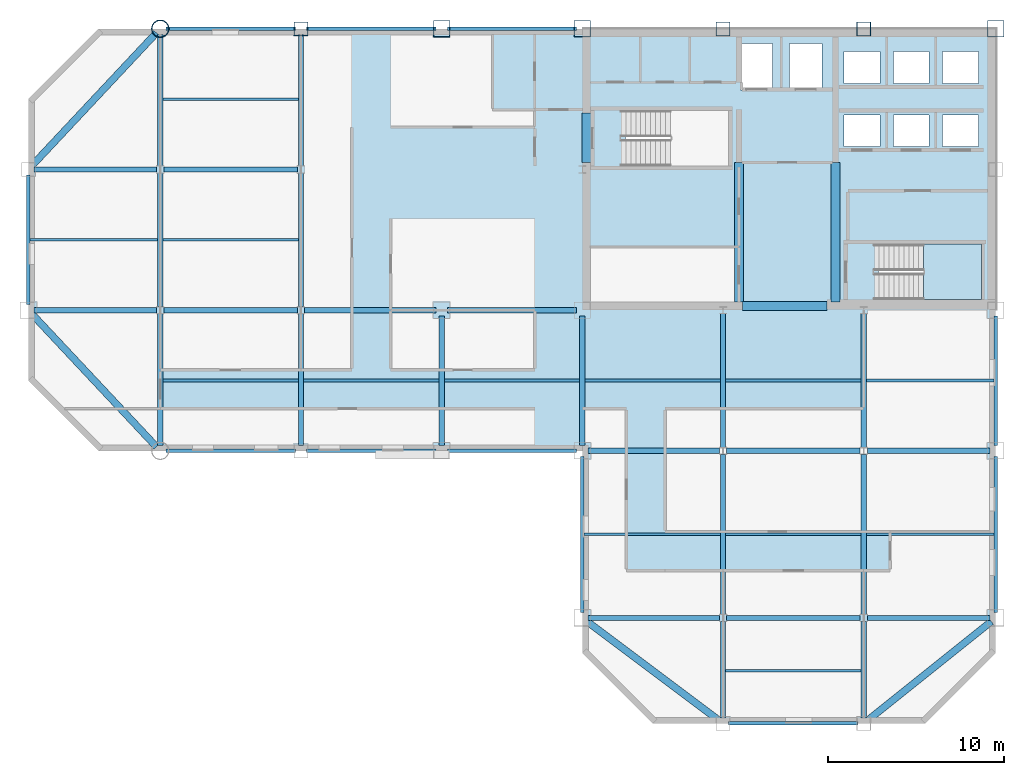
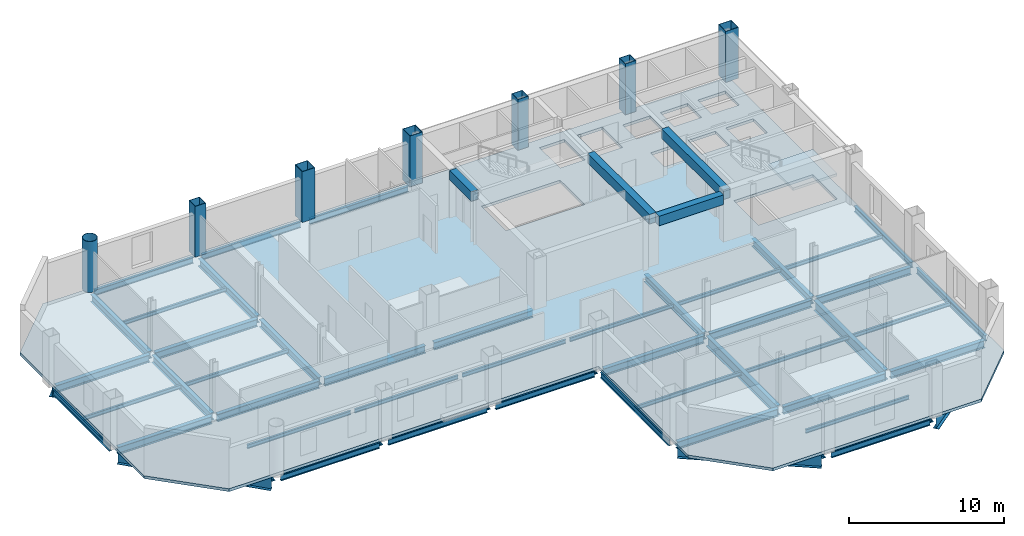
# One storey, part 3 of 9: 58 beams, 7 columns, 2 slabs, 1 element without a shape of its own.
"""IFC4 building model written with IfcOpenShell, lengths in metres."""

from ifc_helpers import new_model, si_unit, direction, frame, origin, origin_2d, place, context, subcontext, project, spatial, polyline, rectangle, hollow_rectangle, hollow_circle, i_section, outline, extrude, material, layer, layer_set, material_profile, profile_set, type_object, element, aggregate, save


model = new_model("IFC4")

# Units and contexts
model_context = context("Model", 3, precision=1e-05, world=origin(), true_north=direction((0.0, 1.0)))
body_context = subcontext(model_context, "Body", "Model", "MODEL_VIEW")
ifc_project = project(units=[si_unit("LENGTHUNIT", "METRE"), si_unit("AREAUNIT", "SQUARE_METRE"), si_unit("VOLUMEUNIT", "CUBIC_METRE"), si_unit("PLANEANGLEUNIT", "RADIAN"), si_unit("MASSUNIT", "GRAM", prefix="KILO")], contexts=[model_context])

# Site, building, storey
site_placement = place(None, origin())
site = spatial("IfcSite", under=ifc_project, at=site_placement, CompositionType="ELEMENT")
building_placement = place(site_placement, origin())
building = spatial("IfcBuilding", under=site, at=building_placement, Name="Qianrong Seaharbour Tower", CompositionType="ELEMENT")
storey_placement = place(building_placement, frame((0.0, 0.0, 221.800048828125)))
storey = spatial("IfcBuildingStorey", under=building, at=storey_placement, Name="L53", CompositionType="ELEMENT", Elevation=221.800048828125)

# Columns
ifc_material_1 = material(Name="Structural steel SN490B", Category="steel")
ifc_material_profile_1 = material_profile(ifc_material_1, hollow_rectangle(XDim=0.949951171875, YDim=0.949951171875, WallThickness=0.035888671875, at=origin_2d()), Name="BOX950x950x36")
ifc_profile_set_1 = profile_set([ifc_material_profile_1], Name="Structural steel SN490B")
column_type_1 = type_object("IfcColumnType", Name="COL-CFT-950", PredefinedType="COLUMN", material=ifc_profile_set_1)
for number, where, z_axis, x_axis, name in (
    (1, (32.5, 52.0, 0.0), (0.0, 0.0, 1.0), (1.0, 0.0, 0.0), "L53 Column MC-4 at G5/GH"),
    (2, (40.5, 52.0, 0.0), (0.0, 0.0, 1.0), (1.0, 0.0, 0.0), "L53 Column MC-4 at G6/GH"),
    (3, (64.0, 52.0, 0.0), (0.0, 0.0, 1.0), (1.0, 0.0, 0.0), "L53 Column MC-4 at G9/GH"),
):
    element("IfcColumn", number, at=place(storey_placement, frame(where, z_axis=z_axis, x_axis=x_axis)), inside=storey, type_object=column_type_1, Name=name, PredefinedType="COLUMN", context=body_context, shape_type="SweptSolid", body=[
        extrude(hollow_rectangle(XDim=0.949951171875, YDim=0.949951171875, WallThickness=0.035888671875, at=origin_2d()), origin(), (0.0, 0.0, 1.0), 4.0),
    ])
ifc_material_profile_2 = material_profile(ifc_material_1, hollow_circle(Radius=0.5, WallThickness=0.035888671875, at=origin_2d()), Name="CHS1000x36")
ifc_profile_set_2 = profile_set([ifc_material_profile_2], Name="Structural steel SN490B")
column_type_2 = type_object("IfcColumnType", Name="COL-CHS-1000", PredefinedType="COLUMN", material=ifc_profile_set_2)
column_placement = place(storey_placement, frame((16.5, 52.0, 0.0), z_axis=(0.0, 0.0, 1.0), x_axis=(1.0, 0.0, 0.0)))
element("IfcColumn", 4, at=column_placement, inside=storey, type_object=column_type_2, Name="L53 Column CC-2 at G3/GH", PredefinedType="COLUMN", context=body_context, shape_type="SweptSolid", body=[
    extrude(hollow_circle(Radius=0.5, WallThickness=0.035888671875, at=origin_2d()), origin(), (0.0, 0.0, 1.0), 4.0),
])
ifc_material_profile_3 = material_profile(ifc_material_1, hollow_rectangle(XDim=0.800048828125, YDim=0.800048828125, WallThickness=0.031982421875, at=origin_2d()), Name="BOX800x800x32")
ifc_profile_set_3 = profile_set([ifc_material_profile_3], Name="Structural steel SN490B")
column_type_3 = type_object("IfcColumnType", Name="COL-PER-800", PredefinedType="COLUMN", material=ifc_profile_set_3)
for number, where, z_axis, x_axis, name in (
    (5, (24.5, 52.0, 0.0), (0.0, 0.0, 1.0), (1.0, 0.0, 0.0), "L53 Column PC-3 at G4/GH"),
    (6, (48.5, 52.0, 0.0), (0.0, 0.0, 1.0), (1.0, 0.0, 0.0), "L53 Column PC-3 at G7/GH"),
    (7, (56.5, 52.0, 0.0), (0.0, 0.0, 1.0), (1.0, 0.0, 0.0), "L53 Column PC-3 at G8/GH"),
):
    element("IfcColumn", number, at=place(storey_placement, frame(where, z_axis=z_axis, x_axis=x_axis)), inside=storey, type_object=column_type_3, Name=name, PredefinedType="COLUMN", context=body_context, shape_type="SweptSolid", body=[
        extrude(hollow_rectangle(XDim=0.800048828125, YDim=0.800048828125, WallThickness=0.031982421875, at=origin_2d()), origin(), (0.0, 0.0, 1.0), 4.0),
    ])

# Beams
ifc_material_profile_4 = material_profile(ifc_material_1, i_section(OverallWidth=0.300048828125, OverallDepth=0.587890625, WebThickness=0.011962890625, FlangeThickness=0.02001953125, FilletRadius=0.02392578125, at=origin_2d()), Name="H588x300x12x20")
ifc_profile_set_4 = profile_set([ifc_material_profile_4], Name="Structural steel SN490B")
beam_type_1 = type_object("IfcBeamType", Name="BM-G-588", PredefinedType="BEAM", material=ifc_profile_set_4)
beam_1_placement = place(storey_placement, frame((40.820068359375, 18.5, -0.51904296875), z_axis=(1.0, 0.0, 0.0), x_axis=(0.0, 1.0, 0.0)))
element("IfcBeam", 8, at=beam_1_placement, inside=storey, type_object=beam_type_1, Name="L53 Primary Girder GD G6-G7", PredefinedType="BEAM", context=body_context, shape_type="SweptSolid", body=[
    extrude(i_section(OverallWidth=0.300048828125, OverallDepth=0.587890625, WebThickness=0.011962890625, FlangeThickness=0.02001953125, FilletRadius=0.02392578125, at=origin_2d()), origin(), (0.0, 0.0, 1.0), 7.47998046875),
])
beam_2_placement = place(storey_placement, frame((48.699951171875, 18.5, -0.51904296875), z_axis=(1.0, 0.0, 0.0), x_axis=(0.0, 1.0, 0.0)))
element("IfcBeam", 9, at=beam_2_placement, inside=storey, type_object=beam_type_1, Name="L53 Primary Girder GD G7-G8", PredefinedType="BEAM", context=body_context, shape_type="SweptSolid", body=[
    extrude(i_section(OverallWidth=0.300048828125, OverallDepth=0.587890625, WebThickness=0.011962890625, FlangeThickness=0.02001953125, FilletRadius=0.02392578125, at=origin_2d()), origin(), (0.0, 0.0, 1.0), 7.60009765625),
])
beam_3_placement = place(storey_placement, frame((56.699951171875, 18.5, -0.51904296875), z_axis=(1.0, 0.0, 0.0), x_axis=(0.0, 1.0, 0.0)))
element("IfcBeam", 10, at=beam_3_placement, inside=storey, type_object=beam_type_1, Name="L53 Primary Girder GD G8-G9", PredefinedType="BEAM", context=body_context, shape_type="SweptSolid", body=[
    extrude(i_section(OverallWidth=0.300048828125, OverallDepth=0.587890625, WebThickness=0.011962890625, FlangeThickness=0.02001953125, FilletRadius=0.02392578125, at=origin_2d()), origin(), (0.0, 0.0, 1.0), 6.97998046875),
])
beam_4_placement = place(storey_placement, frame((40.820068359375, 28.0, -0.51904296875), z_axis=(1.0, 0.0, 0.0), x_axis=(0.0, 1.0, 0.0)))
element("IfcBeam", 11, at=beam_4_placement, inside=storey, type_object=beam_type_1, Name="L53 Primary Girder GE G6-G7", PredefinedType="BEAM", context=body_context, shape_type="SweptSolid", body=[
    extrude(i_section(OverallWidth=0.300048828125, OverallDepth=0.587890625, WebThickness=0.011962890625, FlangeThickness=0.02001953125, FilletRadius=0.02392578125, at=origin_2d()), origin(), (0.0, 0.0, 1.0), 7.47998046875),
])
beam_5_placement = place(storey_placement, frame((48.699951171875, 28.0, -0.51904296875), z_axis=(1.0, 0.0, 0.0), x_axis=(0.0, 1.0, 0.0)))
element("IfcBeam", 12, at=beam_5_placement, inside=storey, type_object=beam_type_1, Name="L53 Primary Girder GE G7-G8", PredefinedType="BEAM", context=body_context, shape_type="SweptSolid", body=[
    extrude(i_section(OverallWidth=0.300048828125, OverallDepth=0.587890625, WebThickness=0.011962890625, FlangeThickness=0.02001953125, FilletRadius=0.02392578125, at=origin_2d()), origin(), (0.0, 0.0, 1.0), 7.60009765625),
])
for number, where, z_axis, x_axis, name in (
    (13, (56.699951171875, 28.0, -0.51904296875), (1.0, 0.0, 0.0), (0.0, 1.0, 0.0), "L53 Primary Girder GE G8-G9"),
    (14, (9.320068359375, 36.0, -0.51904296875), (1.0, 0.0, 0.0), (0.0, 1.0, 0.0), "L53 Primary Girder GF G2-G3"),
):
    element("IfcBeam", number, at=place(storey_placement, frame(where, z_axis=z_axis, x_axis=x_axis)), inside=storey, type_object=beam_type_1, Name=name, PredefinedType="BEAM", context=body_context, shape_type="SweptSolid", body=[
        extrude(i_section(OverallWidth=0.300048828125, OverallDepth=0.587890625, WebThickness=0.011962890625, FlangeThickness=0.02001953125, FilletRadius=0.02392578125, at=origin_2d()), origin(), (0.0, 0.0, 1.0), 6.97998046875),
    ])
beam_6_placement = place(storey_placement, frame((16.699951171875, 36.0, -0.51904296875), z_axis=(1.0, 0.0, 0.0), x_axis=(0.0, 1.0, 0.0)))
element("IfcBeam", 15, at=beam_6_placement, inside=storey, type_object=beam_type_1, Name="L53 Primary Girder GF G3-G4", PredefinedType="BEAM", context=body_context, shape_type="SweptSolid", body=[
    extrude(i_section(OverallWidth=0.300048828125, OverallDepth=0.587890625, WebThickness=0.011962890625, FlangeThickness=0.02001953125, FilletRadius=0.02392578125, at=origin_2d()), origin(), (0.0, 0.0, 1.0), 7.60009765625),
])
beam_7_placement = place(storey_placement, frame((24.699951171875, 36.0, -0.51904296875), z_axis=(1.0, 0.0, 0.0), x_axis=(0.0, 1.0, 0.0)))
element("IfcBeam", 16, at=beam_7_placement, inside=storey, type_object=beam_type_1, Name="L53 Primary Girder GF G4-G5", PredefinedType="BEAM", context=body_context, shape_type="SweptSolid", body=[
    extrude(i_section(OverallWidth=0.300048828125, OverallDepth=0.587890625, WebThickness=0.011962890625, FlangeThickness=0.02001953125, FilletRadius=0.02392578125, at=origin_2d()), origin(), (0.0, 0.0, 1.0), 7.47998046875),
])
beam_8_placement = place(storey_placement, frame((32.820068359375, 36.0, -0.51904296875), z_axis=(1.0, 0.0, 0.0), x_axis=(0.0, 1.0, 0.0)))
element("IfcBeam", 17, at=beam_8_placement, inside=storey, type_object=beam_type_1, Name="L53 Primary Girder GF G5-G6", PredefinedType="BEAM", context=body_context, shape_type="SweptSolid", body=[
    extrude(i_section(OverallWidth=0.300048828125, OverallDepth=0.587890625, WebThickness=0.011962890625, FlangeThickness=0.02001953125, FilletRadius=0.02392578125, at=origin_2d()), origin(), (0.0, 0.0, 1.0), 7.35986328125),
])
beam_9_placement = place(storey_placement, frame((9.320068359375, 44.0, -0.51904296875), z_axis=(1.0, 0.0, 0.0), x_axis=(0.0, 1.0, 0.0)))
element("IfcBeam", 18, at=beam_9_placement, inside=storey, type_object=beam_type_1, Name="L53 Primary Girder GG G2-G3", PredefinedType="BEAM", context=body_context, shape_type="SweptSolid", body=[
    extrude(i_section(OverallWidth=0.300048828125, OverallDepth=0.587890625, WebThickness=0.011962890625, FlangeThickness=0.02001953125, FilletRadius=0.02392578125, at=origin_2d()), origin(), (0.0, 0.0, 1.0), 6.97998046875),
])
beam_10_placement = place(storey_placement, frame((16.699951171875, 44.0, -0.51904296875), z_axis=(1.0, 0.0, 0.0), x_axis=(0.0, 1.0, 0.0)))
element("IfcBeam", 19, at=beam_10_placement, inside=storey, type_object=beam_type_1, Name="L53 Primary Girder GG G3-G4", PredefinedType="BEAM", context=body_context, shape_type="SweptSolid", body=[
    extrude(i_section(OverallWidth=0.300048828125, OverallDepth=0.587890625, WebThickness=0.011962890625, FlangeThickness=0.02001953125, FilletRadius=0.02392578125, at=origin_2d()), origin(), (0.0, 0.0, 1.0), 7.60009765625),
])
beam_11_placement = place(storey_placement, frame((16.5, 28.320068359375, -0.51904296875), z_axis=(0.0, 1.0, 0.0), x_axis=(-1.0, 0.0, 0.0)))
element("IfcBeam", 20, at=beam_11_placement, inside=storey, type_object=beam_type_1, Name="L53 Primary Girder G3 GE-GF", PredefinedType="BEAM", context=body_context, shape_type="SweptSolid", body=[
    extrude(i_section(OverallWidth=0.300048828125, OverallDepth=0.587890625, WebThickness=0.011962890625, FlangeThickness=0.02001953125, FilletRadius=0.02392578125, at=origin_2d()), origin(), (0.0, 0.0, 1.0), 7.47998046875),
])
beam_12_placement = place(storey_placement, frame((16.5, 36.199951171875, -0.51904296875), z_axis=(0.0, 1.0, 0.0), x_axis=(-1.0, 0.0, 0.0)))
element("IfcBeam", 21, at=beam_12_placement, inside=storey, type_object=beam_type_1, Name="L53 Primary Girder G3 GF-GG", PredefinedType="BEAM", context=body_context, shape_type="SweptSolid", body=[
    extrude(i_section(OverallWidth=0.300048828125, OverallDepth=0.587890625, WebThickness=0.011962890625, FlangeThickness=0.02001953125, FilletRadius=0.02392578125, at=origin_2d()), origin(), (0.0, 0.0, 1.0), 7.60009765625),
])
for number, where, z_axis, x_axis, name in (
    (22, (16.5, 44.199951171875, -0.51904296875), (0.0, 1.0, 0.0), (-1.0, 0.0, 0.0), "L53 Primary Girder G3 GG-GH"),
    (23, (24.5, 28.320068359375, -0.51904296875), (0.0, 1.0, 0.0), (-1.0, 0.0, 0.0), "L53 Primary Girder G4 GE-GF"),
):
    element("IfcBeam", number, at=place(storey_placement, frame(where, z_axis=z_axis, x_axis=x_axis)), inside=storey, type_object=beam_type_1, Name=name, PredefinedType="BEAM", context=body_context, shape_type="SweptSolid", body=[
        extrude(i_section(OverallWidth=0.300048828125, OverallDepth=0.587890625, WebThickness=0.011962890625, FlangeThickness=0.02001953125, FilletRadius=0.02392578125, at=origin_2d()), origin(), (0.0, 0.0, 1.0), 7.47998046875),
    ])
beam_13_placement = place(storey_placement, frame((24.5, 36.199951171875, -0.51904296875), z_axis=(0.0, 1.0, 0.0), x_axis=(-1.0, 0.0, 0.0)))
element("IfcBeam", 24, at=beam_13_placement, inside=storey, type_object=beam_type_1, Name="L53 Primary Girder G4 GF-GG", PredefinedType="BEAM", context=body_context, shape_type="SweptSolid", body=[
    extrude(i_section(OverallWidth=0.300048828125, OverallDepth=0.587890625, WebThickness=0.011962890625, FlangeThickness=0.02001953125, FilletRadius=0.02392578125, at=origin_2d()), origin(), (0.0, 0.0, 1.0), 7.60009765625),
])
beam_14_placement = place(storey_placement, frame((24.5, 44.199951171875, -0.51904296875), z_axis=(0.0, 1.0, 0.0), x_axis=(-1.0, 0.0, 0.0)))
element("IfcBeam", 25, at=beam_14_placement, inside=storey, type_object=beam_type_1, Name="L53 Primary Girder G4 GG-GH", PredefinedType="BEAM", context=body_context, shape_type="SweptSolid", body=[
    extrude(i_section(OverallWidth=0.300048828125, OverallDepth=0.587890625, WebThickness=0.011962890625, FlangeThickness=0.02001953125, FilletRadius=0.02392578125, at=origin_2d()), origin(), (0.0, 0.0, 1.0), 7.47998046875),
])
for number, where, z_axis, x_axis, name in (
    (26, (32.5, 28.320068359375, -0.51904296875), (0.0, 1.0, 0.0), (-1.0, 0.0, 0.0), "L53 Primary Girder G5 GE-GF"),
    (27, (40.5, 28.320068359375, -0.51904296875), (0.0, 1.0, 0.0), (-1.0, 0.0, 0.0), "L53 Primary Girder G6 GE-GF"),
):
    element("IfcBeam", number, at=place(storey_placement, frame(where, z_axis=z_axis, x_axis=x_axis)), inside=storey, type_object=beam_type_1, Name=name, PredefinedType="BEAM", context=body_context, shape_type="SweptSolid", body=[
        extrude(i_section(OverallWidth=0.300048828125, OverallDepth=0.587890625, WebThickness=0.011962890625, FlangeThickness=0.02001953125, FilletRadius=0.02392578125, at=origin_2d()), origin(), (0.0, 0.0, 1.0), 7.35986328125),
    ])
beam_15_placement = place(storey_placement, frame((48.5, 12.820068359375, -0.51904296875), z_axis=(0.0, 1.0, 0.0), x_axis=(-1.0, 0.0, 0.0)))
element("IfcBeam", 28, at=beam_15_placement, inside=storey, type_object=beam_type_1, Name="L53 Primary Girder G7 GC-GD", PredefinedType="BEAM", context=body_context, shape_type="SweptSolid", body=[
    extrude(i_section(OverallWidth=0.300048828125, OverallDepth=0.587890625, WebThickness=0.011962890625, FlangeThickness=0.02001953125, FilletRadius=0.02392578125, at=origin_2d()), origin(), (0.0, 0.0, 1.0), 5.47998046875),
])
beam_16_placement = place(storey_placement, frame((48.5, 28.199951171875, -0.51904296875), z_axis=(0.0, 1.0, 0.0), x_axis=(-1.0, 0.0, 0.0)))
element("IfcBeam", 29, at=beam_16_placement, inside=storey, type_object=beam_type_1, Name="L53 Primary Girder G7 GE-GF", PredefinedType="BEAM", context=body_context, shape_type="SweptSolid", body=[
    extrude(i_section(OverallWidth=0.300048828125, OverallDepth=0.587890625, WebThickness=0.011962890625, FlangeThickness=0.02001953125, FilletRadius=0.02392578125, at=origin_2d()), origin(), (0.0, 0.0, 1.0), 7.60009765625),
])
beam_17_placement = place(storey_placement, frame((56.5, 12.820068359375, -0.51904296875), z_axis=(0.0, 1.0, 0.0), x_axis=(-1.0, 0.0, 0.0)))
element("IfcBeam", 30, at=beam_17_placement, inside=storey, type_object=beam_type_1, Name="L53 Primary Girder G8 GC-GD", PredefinedType="BEAM", context=body_context, shape_type="SweptSolid", body=[
    extrude(i_section(OverallWidth=0.300048828125, OverallDepth=0.587890625, WebThickness=0.011962890625, FlangeThickness=0.02001953125, FilletRadius=0.02392578125, at=origin_2d()), origin(), (0.0, 0.0, 1.0), 5.47998046875),
])
beam_18_placement = place(storey_placement, frame((56.5, 28.199951171875, -0.51904296875), z_axis=(0.0, 1.0, 0.0), x_axis=(-1.0, 0.0, 0.0)))
element("IfcBeam", 31, at=beam_18_placement, inside=storey, type_object=beam_type_1, Name="L53 Primary Girder G8 GE-GF", PredefinedType="BEAM", context=body_context, shape_type="SweptSolid", body=[
    extrude(i_section(OverallWidth=0.300048828125, OverallDepth=0.587890625, WebThickness=0.011962890625, FlangeThickness=0.02001953125, FilletRadius=0.02392578125, at=origin_2d()), origin(), (0.0, 0.0, 1.0), 7.60009765625),
])
ifc_material_profile_5 = material_profile(ifc_material_1, i_section(OverallWidth=0.300048828125, OverallDepth=0.800048828125, WebThickness=0.013916015625, FlangeThickness=0.02587890625, FilletRadius=0.028076171875, at=origin_2d()), Name="H800x300x14x26")
ifc_profile_set_5 = profile_set([ifc_material_profile_5], Name="Structural steel SN490B")
beam_type_2 = type_object("IfcBeamType", Name="BM-G-800", PredefinedType="BEAM", material=ifc_profile_set_5)
for number, where, z_axis, x_axis, name in (
    (32, (48.5, 18.699951171875, -0.625), (0.0, 1.0, 0.0), (-1.0, 0.0, 0.0), "L53 Primary Girder G7 GD-GE"),
    (33, (56.5, 18.699951171875, -0.625), (0.0, 1.0, 0.0), (-1.0, 0.0, 0.0), "L53 Primary Girder G8 GD-GE"),
):
    element("IfcBeam", number, at=place(storey_placement, frame(where, z_axis=z_axis, x_axis=x_axis)), inside=storey, type_object=beam_type_2, Name=name, PredefinedType="BEAM", context=body_context, shape_type="SweptSolid", body=[
        extrude(i_section(OverallWidth=0.300048828125, OverallDepth=0.800048828125, WebThickness=0.013916015625, FlangeThickness=0.02587890625, FilletRadius=0.028076171875, at=origin_2d()), origin(), (0.0, 0.0, 1.0), 9.10009765625),
    ])
ifc_material_2 = material(Name="Structural steel SN400B", Category="steel")
ifc_material_profile_6 = material_profile(ifc_material_2, i_section(OverallWidth=0.14990234375, OverallDepth=0.300048828125, WebThickness=0.006591796875, FlangeThickness=0.009033203125, FilletRadius=0.012939453125, at=origin_2d()), Name="H300x150x6.5x9")
ifc_profile_set_6 = profile_set([ifc_material_profile_6], Name="Structural steel SN400B")
beam_type_3 = type_object("IfcBeamType", Name="BM-J-300", PredefinedType="JOIST", material=ifc_profile_set_6)
beam_19_placement = place(storey_placement, frame((9.10009765625, 40.0, -0.375), z_axis=(1.0, 0.0, 0.0), x_axis=(0.0, 1.0, 0.0)))
element("IfcBeam", 34, at=beam_19_placement, inside=storey, type_object=beam_type_3, Name="L53 Composite Floor Joist G2-G3/GF-GG", PredefinedType="JOIST", context=body_context, shape_type="SweptSolid", body=[
    extrude(i_section(OverallWidth=0.14990234375, OverallDepth=0.300048828125, WebThickness=0.006591796875, FlangeThickness=0.009033203125, FilletRadius=0.012939453125, at=origin_2d()), origin(), (0.0, 0.0, 1.0), 7.25),
])
for number, where, z_axis, x_axis, name in (
    (35, (16.64990234375, 32.0, -0.375), (1.0, 0.0, 0.0), (0.0, 1.0, 0.0), "L53 Composite Floor Joist G3-G4/GE-GF"),
    (36, (16.64990234375, 40.0, -0.375), (1.0, 0.0, 0.0), (0.0, 1.0, 0.0), "L53 Composite Floor Joist G3-G4/GF-GG"),
    (37, (16.64990234375, 48.0, -0.375), (1.0, 0.0, 0.0), (0.0, 1.0, 0.0), "L53 Composite Floor Joist G3-G4/GG-GH"),
    (38, (24.64990234375, 32.0, -0.375), (1.0, 0.0, 0.0), (0.0, 1.0, 0.0), "L53 Composite Floor Joist G4-G5/GE-GF"),
    (39, (32.64990234375, 32.0, -0.375), (1.0, 0.0, 0.0), (0.0, 1.0, 0.0), "L53 Composite Floor Joist G5-G6/GE-GF"),
):
    element("IfcBeam", number, at=place(storey_placement, frame(where, z_axis=z_axis, x_axis=x_axis)), inside=storey, type_object=beam_type_3, Name=name, PredefinedType="JOIST", context=body_context, shape_type="SweptSolid", body=[
        extrude(i_section(OverallWidth=0.14990234375, OverallDepth=0.300048828125, WebThickness=0.006591796875, FlangeThickness=0.009033203125, FilletRadius=0.012939453125, at=origin_2d()), origin(), (0.0, 0.0, 1.0), 7.7001953125),
    ])
beam_20_placement = place(storey_placement, frame((40.60009765625, 23.25, -0.375), z_axis=(1.0, 0.0, 0.0), x_axis=(0.0, 1.0, 0.0)))
element("IfcBeam", 40, at=beam_20_placement, inside=storey, type_object=beam_type_3, Name="L53 Composite Floor Joist G6-G7/GD-GE", PredefinedType="JOIST", context=body_context, shape_type="SweptSolid", body=[
    extrude(i_section(OverallWidth=0.14990234375, OverallDepth=0.300048828125, WebThickness=0.006591796875, FlangeThickness=0.009033203125, FilletRadius=0.012939453125, at=origin_2d()), origin(), (0.0, 0.0, 1.0), 7.75),
])
for number, where, z_axis, x_axis, name in (
    (41, (40.64990234375, 32.0, -0.375), (1.0, 0.0, 0.0), (0.0, 1.0, 0.0), "L53 Composite Floor Joist G6-G7/GE-GF"),
    (42, (48.64990234375, 15.5, -0.375), (1.0, 0.0, 0.0), (0.0, 1.0, 0.0), "L53 Composite Floor Joist G7-G8/GC-GD"),
    (43, (48.64990234375, 23.25, -0.375), (1.0, 0.0, 0.0), (0.0, 1.0, 0.0), "L53 Composite Floor Joist G7-G8/GD-GE"),
    (44, (48.64990234375, 32.0, -0.375), (1.0, 0.0, 0.0), (0.0, 1.0, 0.0), "L53 Composite Floor Joist G7-G8/GE-GF"),
):
    element("IfcBeam", number, at=place(storey_placement, frame(where, z_axis=z_axis, x_axis=x_axis)), inside=storey, type_object=beam_type_3, Name=name, PredefinedType="JOIST", context=body_context, shape_type="SweptSolid", body=[
        extrude(i_section(OverallWidth=0.14990234375, OverallDepth=0.300048828125, WebThickness=0.006591796875, FlangeThickness=0.009033203125, FilletRadius=0.012939453125, at=origin_2d()), origin(), (0.0, 0.0, 1.0), 7.7001953125),
    ])
for number, where, z_axis, x_axis, name in (
    (45, (56.64990234375, 23.25, -0.375), (1.0, 0.0, 0.0), (0.0, 1.0, 0.0), "L53 Composite Floor Joist G8-G9/GD-GE"),
    (46, (56.64990234375, 32.0, -0.375), (1.0, 0.0, 0.0), (0.0, 1.0, 0.0), "L53 Composite Floor Joist G8-G9/GE-GF"),
):
    element("IfcBeam", number, at=place(storey_placement, frame(where, z_axis=z_axis, x_axis=x_axis)), inside=storey, type_object=beam_type_3, Name=name, PredefinedType="JOIST", context=body_context, shape_type="SweptSolid", body=[
        extrude(i_section(OverallWidth=0.14990234375, OverallDepth=0.300048828125, WebThickness=0.006591796875, FlangeThickness=0.009033203125, FilletRadius=0.012939453125, at=origin_2d()), origin(), (0.0, 0.0, 1.0), 7.25),
    ])
ifc_material_3 = material(Name="Concrete C60/75", Category="concrete")
ifc_material_profile_7 = material_profile(ifc_material_3, rectangle(XDim=0.5, YDim=0.75, at=origin_2d()), Name="RC500x750")
ifc_profile_set_7 = profile_set([ifc_material_profile_7], Name="Concrete C60/75")
beam_type_4 = type_object("IfcBeamType", Name="BM-LINTEL-750", PredefinedType="LINTEL", material=ifc_profile_set_7)
beam_21_placement = place(storey_placement, frame((40.72998046875, 44.39990234375, 3.39990234375), z_axis=(0.0, 1.0, 0.0), x_axis=(-1.0, 0.0, 0.0)))
element("IfcBeam", 47, at=beam_21_placement, inside=storey, type_object=beam_type_4, Name="L53 Core Coupling Lintel Beam West", PredefinedType="LINTEL", context=body_context, shape_type="SweptSolid", body=[
    extrude(rectangle(XDim=0.5, YDim=0.75, at=origin_2d()), origin(), (0.0, 0.0, 1.0), 2.800048828125),
])
beam_22_placement = place(storey_placement, frame((49.60009765625, 36.22998046875, 3.39990234375), z_axis=(1.0, 0.0, 0.0), x_axis=(0.0, 1.0, 0.0)))
element("IfcBeam", 48, at=beam_22_placement, inside=storey, type_object=beam_type_4, Name="L53 Core Coupling Lintel Beam CBC", PredefinedType="LINTEL", context=body_context, shape_type="SweptSolid", body=[
    extrude(rectangle(XDim=0.5, YDim=0.75, at=origin_2d()), origin(), (0.0, 0.0, 1.0), 4.7998046875),
])
for number, where, z_axis, x_axis, name in (
    (49, (49.39990234375, 36.4599609375, 3.39990234375), (0.0, 1.0, 0.0), (-1.0, 0.0, 0.0), "L53 Internal Core Coupling Beam IW1"),
    (50, (54.89990234375, 36.4599609375, 3.39990234375), (0.0, 1.0, 0.0), (-1.0, 0.0, 0.0), "L53 Internal Core Coupling Beam IW2"),
):
    element("IfcBeam", number, at=place(storey_placement, frame(where, z_axis=z_axis, x_axis=x_axis)), inside=storey, type_object=beam_type_4, Name=name, PredefinedType="LINTEL", context=body_context, shape_type="SweptSolid", body=[
        extrude(rectangle(XDim=0.5, YDim=0.75, at=origin_2d()), origin(), (0.0, 0.0, 1.0), 7.93994140625),
    ])
ifc_material_profile_8 = material_profile(ifc_material_2, i_section(OverallWidth=0.199951171875, OverallDepth=0.449951171875, WebThickness=0.009033203125, FlangeThickness=0.013916015625, FilletRadius=0.01806640625, at=origin_2d()), Name="H450x200x9x14")
ifc_profile_set_8 = profile_set([ifc_material_profile_8], Name="Structural steel SN400B")
beam_type_5 = type_object("IfcBeamType", Name="BM-SP-450", PredefinedType="SPANDREL", material=ifc_profile_set_8)
for number, where, z_axis, x_axis, name in (
    (51, (48.820068359375, 12.5, -0.449951171875), (1.0, 0.0, 0.0), (0.0, 1.0, 0.0), "L53 Spandrel Girder GC G7-G8"),
    (52, (16.820068359375, 28.0, -0.449951171875), (1.0, 0.0, 0.0), (0.0, 1.0, 0.0), "L53 Spandrel Girder GE G3-G4"),
    (53, (24.820068359375, 28.0, -0.449951171875), (1.0, 0.0, 0.0), (0.0, 1.0, 0.0), "L53 Spandrel Girder GE G4-G5"),
    (54, (32.820068359375, 28.0, -0.449951171875), (1.0, 0.0, 0.0), (0.0, 1.0, 0.0), "L53 Spandrel Girder GE G5-G6"),
    (55, (16.820068359375, 52.0, -0.449951171875), (1.0, 0.0, 0.0), (0.0, 1.0, 0.0), "L53 Spandrel Girder GH G3-G4"),
    (56, (24.820068359375, 52.0, -0.449951171875), (1.0, 0.0, 0.0), (0.0, 1.0, 0.0), "L53 Spandrel Girder GH G4-G5"),
    (57, (32.820068359375, 52.0, -0.449951171875), (1.0, 0.0, 0.0), (0.0, 1.0, 0.0), "L53 Spandrel Girder GH G5-G6"),
    (58, (9.0, 36.320068359375, -0.449951171875), (0.0, 1.0, 0.0), (-1.0, 0.0, 0.0), "L53 Spandrel Girder G2 GF-GG"),
):
    element("IfcBeam", number, at=place(storey_placement, frame(where, z_axis=z_axis, x_axis=x_axis)), inside=storey, type_object=beam_type_5, Name=name, PredefinedType="SPANDREL", context=body_context, shape_type="SweptSolid", body=[
        extrude(i_section(OverallWidth=0.199951171875, OverallDepth=0.449951171875, WebThickness=0.009033203125, FlangeThickness=0.013916015625, FilletRadius=0.01806640625, at=origin_2d()), origin(), (0.0, 0.0, 1.0), 7.35986328125),
    ])
for number, where, z_axis, x_axis, name in (
    (59, (40.5, 18.820068359375, -0.449951171875), (0.0, 1.0, 0.0), (-1.0, 0.0, 0.0), "L53 Spandrel Girder G6 GD-GE"),
    (60, (64.0, 18.820068359375, -0.449951171875), (0.0, 1.0, 0.0), (-1.0, 0.0, 0.0), "L53 Spandrel Girder G9 GD-GE"),
):
    element("IfcBeam", number, at=place(storey_placement, frame(where, z_axis=z_axis, x_axis=x_axis)), inside=storey, type_object=beam_type_5, Name=name, PredefinedType="SPANDREL", context=body_context, shape_type="SweptSolid", body=[
        extrude(i_section(OverallWidth=0.199951171875, OverallDepth=0.449951171875, WebThickness=0.009033203125, FlangeThickness=0.013916015625, FilletRadius=0.01806640625, at=origin_2d()), origin(), (0.0, 0.0, 1.0), 8.85986328125),
    ])
beam_23_placement = place(storey_placement, frame((64.0, 28.320068359375, -0.449951171875), z_axis=(0.0, 1.0, 0.0), x_axis=(-1.0, 0.0, 0.0)))
element("IfcBeam", 61, at=beam_23_placement, inside=storey, type_object=beam_type_5, Name="L53 Spandrel Girder G9 GE-GF", PredefinedType="SPANDREL", context=body_context, shape_type="SweptSolid", body=[
    extrude(i_section(OverallWidth=0.199951171875, OverallDepth=0.449951171875, WebThickness=0.009033203125, FlangeThickness=0.013916015625, FilletRadius=0.01806640625, at=origin_2d()), origin(), (0.0, 0.0, 1.0), 7.35986328125),
])
ifc_material_profile_9 = material_profile(ifc_material_1, i_section(OverallWidth=0.39990234375, OverallDepth=1.10009765625, WebThickness=0.02001953125, FlangeThickness=0.035888671875, at=origin_2d()), Name="BH1100x400x20x36")
ifc_profile_set_9 = profile_set([ifc_material_profile_9], Name="Structural steel SN490B")
beam_type_6 = type_object("IfcBeamType", Name="BM-TG-1100", PredefinedType="BEAM", material=ifc_profile_set_9)
for number, where, z_axis, x_axis, name in (
    (62, (16.28125, 28.2333984375, -0.775146484375), (-0.683947420573, 0.729531305628, 0.0), (-0.729531305628, -0.683947420573, 0.0), "L53 Chamfer Corner Spandrel Girder G2/GE"),
    (63, (16.28125, 51.7666015625, -0.775146484375), (-0.683947420573, -0.729531305628, 0.0), (0.729531305628, -0.683947420573, 0.0), "L53 Chamfer Corner Spandrel Girder G2/GH"),
):
    element("IfcBeam", number, at=place(storey_placement, frame(where, z_axis=z_axis, x_axis=x_axis)), inside=storey, type_object=beam_type_6, Name=name, PredefinedType="BEAM", context=body_context, shape_type="SweptSolid", body=[
        extrude(i_section(OverallWidth=0.39990234375, OverallDepth=1.10009765625, WebThickness=0.02001953125, FlangeThickness=0.035888671875, at=origin_2d()), origin(), (0.0, 0.0, 1.0), 10.326171875),
    ])
beam_24_placement = place(storey_placement, frame((48.243896484375, 12.69189453125, -0.775146484375), z_axis=(-0.799981219482, 0.600025039875, 0.0), x_axis=(-0.600025039875, -0.799981219482, 0.0)))
element("IfcBeam", 64, at=beam_24_placement, inside=storey, type_object=beam_type_6, Name="L53 Chamfer Corner Spandrel Girder G6/GC", PredefinedType="BEAM", context=body_context, shape_type="SweptSolid", body=[
    extrude(i_section(OverallWidth=0.39990234375, OverallDepth=1.10009765625, WebThickness=0.02001953125, FlangeThickness=0.035888671875, at=origin_2d()), origin(), (0.0, 0.0, 1.0), 9.35986328125),
])
beam_25_placement = place(storey_placement, frame((56.75, 12.699951171875, -0.775146484375), z_axis=(0.780863495394, 0.624701690058, 0.0), x_axis=(-0.624701690058, 0.780863495394, 0.0)))
element("IfcBeam", 65, at=beam_25_placement, inside=storey, type_object=beam_type_6, Name="L53 Chamfer Corner Spandrel Girder G9/GC", PredefinedType="BEAM", context=body_context, shape_type="SweptSolid", body=[
    extrude(i_section(OverallWidth=0.39990234375, OverallDepth=1.10009765625, WebThickness=0.02001953125, FlangeThickness=0.035888671875, at=origin_2d()), origin(), (0.0, 0.0, 1.0), 8.96435546875),
])

# Stair, slab
ifc_material_4 = material(Name="Concrete C50/60", Category="concrete")
stair_type = type_object("IfcStairType", Name="STAIR-DOGLEG-1500-R22", PredefinedType="HALF_TURN_STAIR", material=ifc_material_4)
stair_placement = place(storey_placement, origin())
stair = element("IfcStair", 66, at=stair_placement, inside=storey, type_object=stair_type, Name="L53 Protected Escape Stair ST-2", PredefinedType="HALF_TURN_STAIR")
ifc_layer_1 = layer(ifc_material_4, 0.199951171875)
ifc_layer_set_1 = layer_set([ifc_layer_1], Name="Concrete C50/60")
slab_type_1 = type_object("IfcSlabType", Name="SLAB-STAIR-LANDING-200", PredefinedType="LANDING", material=ifc_layer_set_1)
slab_1_placement = place(storey_placement, frame((0.0, 0.0, 1.800048828125)))
slab_1 = element("IfcSlab", 67, at=slab_1_placement, type_object=slab_type_1, Name="ST-2 landing 1", PredefinedType="LANDING", context=body_context, shape_type="SweptSolid", body=[
    extrude(outline(polyline([(59.89990234375, 36.60009765625), (63.199951171875, 36.60009765625), (63.199951171875, 39.75), (59.89990234375, 39.75), (59.89990234375, 36.60009765625)])), origin(), (0.0, 0.0, 1.0), 0.199951171875),
])
aggregate(stair, [slab_1])

# Slab
ifc_layer_2 = layer(ifc_material_4, 0.22509765625)
ifc_layer_set_2 = layer_set([ifc_layer_2], Name="Concrete C50/60")
slab_type_2 = type_object("IfcSlabType", Name="SLAB-Z3-225", PredefinedType="FLOOR", material=ifc_layer_set_2)
slab_2_placement = place(storey_placement, frame((0.0, 0.0, -0.22509765625)))
element("IfcSlab", 68, at=slab_2_placement, inside=storey, type_object=slab_type_2, Name="L53 Structural Floor Slab", PredefinedType="FLOOR", context=body_context, shape_type="SweptSolid", body=[
    extrude(outline(polyline([(44.5, 12.5), (60.0, 12.5), (64.0, 16.5), (64.0, 52.0), (13.0, 52.0), (9.0, 48.0), (9.0, 32.0), (13.0, 28.0), (40.5, 28.0), (40.5, 16.5), (44.5, 12.5)]), holes=[polyline([(42.93994140625, 44.199951171875), (42.93994140625, 47.35009765625), (48.800048828125, 47.35009765625), (48.800048828125, 44.199951171875), (42.93994140625, 44.199951171875)]), polyline([(57.340087890625, 36.60009765625), (57.340087890625, 39.75), (63.199951171875, 39.75), (63.199951171875, 36.60009765625), (57.340087890625, 36.60009765625)]), polyline([(49.47998046875, 48.530029296875), (49.47998046875, 51.169921875), (51.320068359375, 51.169921875), (51.320068359375, 48.530029296875), (49.47998046875, 48.530029296875)]), polyline([(52.280029296875, 48.530029296875), (52.280029296875, 51.169921875), (54.1201171875, 51.169921875), (54.1201171875, 48.530029296875), (52.280029296875, 48.530029296875)]), polyline([(55.3798828125, 45.300048828125), (55.3798828125, 47.10009765625), (57.419921875, 47.10009765625), (57.419921875, 45.300048828125), (55.3798828125, 45.300048828125)]), polyline([(58.179931640625, 45.300048828125), (58.179931640625, 47.10009765625), (60.219970703125, 47.10009765625), (60.219970703125, 45.300048828125), (58.179931640625, 45.300048828125)]), polyline([(60.97998046875, 45.300048828125), (60.97998046875, 47.10009765625), (63.02001953125, 47.10009765625), (63.02001953125, 45.300048828125), (60.97998046875, 45.300048828125)]), polyline([(55.3798828125, 48.89990234375), (55.3798828125, 50.699951171875), (57.419921875, 50.699951171875), (57.419921875, 48.89990234375), (55.3798828125, 48.89990234375)]), polyline([(58.179931640625, 48.89990234375), (58.179931640625, 50.699951171875), (60.219970703125, 50.699951171875), (60.219970703125, 48.89990234375), (58.179931640625, 48.89990234375)]), polyline([(60.97998046875, 48.89990234375), (60.97998046875, 50.699951171875), (63.02001953125, 50.699951171875), (63.02001953125, 48.89990234375), (60.97998046875, 48.89990234375)])]), origin(), (0.0, 0.0, 1.0), 0.22509765625),
])

save(model, "model.ifc")
